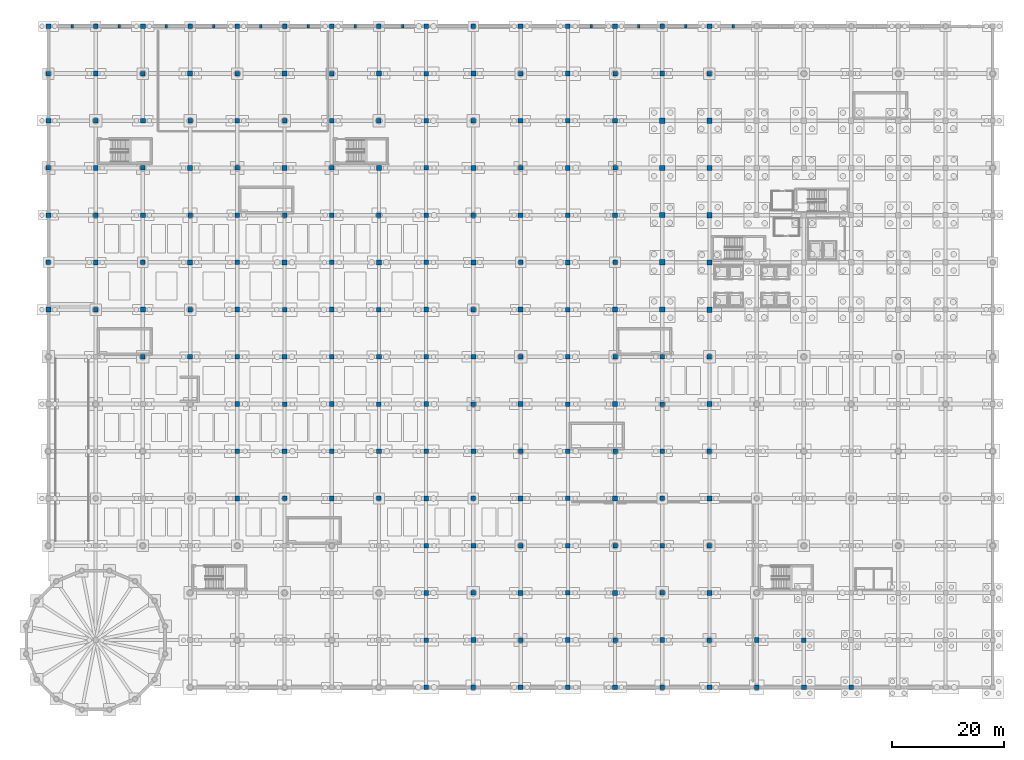
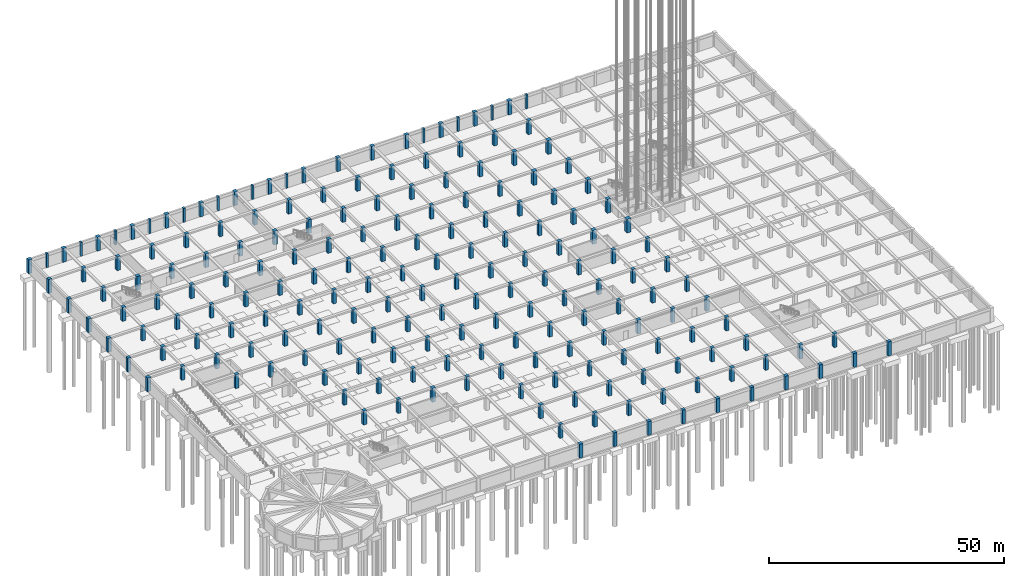
# One storey, part 9 of 47: 196 columns.
"""IFC4 building model written with IfcOpenShell, lengths in metres."""

import ifcopenshell
import ifcopenshell.guid

model = None  # the IFC model being written
_history = None  # IfcOwnerHistory: only IFC2X3 demands one
_inside = {}  # id of a spatial element -> (the spatial element, [elements in it])
_under = {}  # id of a project, library or spatial element -> (it, [spatial elements below it])
_declared = {}  # id of a project -> (the project, [libraries it declares])
_typed = {}  # id of a type object -> (the type object, [elements of that type])
_made_of = {}  # id of a material, layer set ... -> (it, [elements and type objects made of it])


def new_model(schema):
    """Start an empty IFC model of exactly this schema.

    Asked for "IFC4X3", IfcOpenShell would pick the latest addendum, in which some entities
    have other attributes; the version numbers below select the first issue.
    IFC2X3 requires an IfcOwnerHistory on every rooted entity: one is made here for all.
    """
    global model, _history
    if schema == "IFC4X3":
        model = ifcopenshell.file(schema_version=(4, 3, 0, 0))
    else:
        model = ifcopenshell.file(schema=schema)
    _inside.clear()
    _under.clear()
    _declared.clear()
    _typed.clear()
    _made_of.clear()
    _history = None
    if model.schema == "IFC2X3":
        org = make("IfcOrganization", Name="unknown")
        user = make(
            "IfcPersonAndOrganization",
            ThePerson=make("IfcPerson", FamilyName="unknown"),
            TheOrganization=org,
        )
        app = make(
            "IfcApplication",
            ApplicationDeveloper=org,
            Version="unknown",
            ApplicationFullName="unknown",
            ApplicationIdentifier="unknown",
        )
        _history = make(
            "IfcOwnerHistory",
            OwningUser=user,
            OwningApplication=app,
            ChangeAction="ADDED",
            CreationDate=0,
        )
    return model


def make(cls, **values):
    """One entity of the class cls with the attributes given. An attribute that is None is left unset."""
    return model.create_entity(
        cls, **{name: value for name, value in values.items() if value is not None}
    )


def rooted(cls, **values):
    """An entity with a GlobalId (a new one), such as an element, a storey or a relation."""
    return make(cls, GlobalId=ifcopenshell.guid.new(), OwnerHistory=_history, **values)


def si_unit(unit_type, name, prefix=None):
    """IfcSIUnit, for example si_unit("LENGTHUNIT", "METRE", prefix="MILLI")."""
    return make("IfcSIUnit", UnitType=unit_type, Prefix=prefix, Name=name)


def assignment(units):
    """IfcUnitAssignment: the units of a project."""
    return None if units is None else make("IfcUnitAssignment", Units=units)


def point(xyz):
    """IfcCartesianPoint."""
    return None if xyz is None else make("IfcCartesianPoint", Coordinates=xyz)


def direction(xyz):
    """IfcDirection."""
    return None if xyz is None else make("IfcDirection", DirectionRatios=xyz)


def frame(location, z_axis=None, x_axis=None):
    """IfcAxis2Placement3D, a coordinate frame: its origin and axes. An axis left out is left unset."""
    return make(
        "IfcAxis2Placement3D",
        Location=point(location),
        Axis=direction(z_axis),
        RefDirection=direction(x_axis),
    )


def frame_2d(location, x_axis=None):
    """IfcAxis2Placement2D, a coordinate frame in the plane: its origin and x axis."""
    return make(
        "IfcAxis2Placement2D", Location=point(location), RefDirection=direction(x_axis)
    )


def origin():
    """The frame at (0, 0, 0) with its axes left unset."""
    return frame((0.0, 0.0, 0.0))


def origin_2d():
    """The frame at (0, 0) in the plane with its x axis left unset."""
    return frame_2d((0.0, 0.0))


def place(relative_to, where):
    """IfcLocalPlacement: puts the frame where relative to a parent placement (None: the world)."""
    return make(
        "IfcLocalPlacement", PlacementRelTo=relative_to, RelativePlacement=where
    )


def context(
    kind, dimensions, precision=None, world=None, true_north=None, identifier=None
):
    """IfcGeometricRepresentationContext, for example the 3D "Model" context."""
    return make(
        "IfcGeometricRepresentationContext",
        ContextIdentifier=identifier,
        ContextType=kind,
        CoordinateSpaceDimension=dimensions,
        Precision=precision,
        WorldCoordinateSystem=world,
        TrueNorth=true_north,
    )


def subcontext(parent, identifier, kind, view, scale=None):
    """IfcGeometricRepresentationSubContext, for example "Body" below "Model"."""
    return make(
        "IfcGeometricRepresentationSubContext",
        ContextIdentifier=identifier,
        ContextType=kind,
        ParentContext=parent,
        TargetScale=scale,
        TargetView=view,
    )


def project(units=None, contexts=None):
    """IfcProject with its units and contexts."""
    return rooted(
        "IfcProject",
        Name="project",
        RepresentationContexts=contexts,
        UnitsInContext=assignment(units),
    )


def spatial(cls, under=None, at=None, **own):
    """A site, building, storey or space (cls), placed at a placement, below another one or the project."""
    s = rooted(cls, ObjectPlacement=at, **own)
    if under is not None:
        _under.setdefault(under.id(), (under, []))[1].append(s)
    return s


def profile(cls, at=None, kind="AREA", **sizes):
    """A parametric profile (cls). Its sizes go by their IFC names, for example OverallWidth=200.0."""
    return make(cls, ProfileType=kind, Position=at, **sizes)


def rectangle(**sizes):
    """IfcRectangleProfileDef."""
    return profile("IfcRectangleProfileDef", **sizes)


def extrude(swept, where, along, depth):
    """IfcExtrudedAreaSolid: the profile swept, set in the frame where, extruded along a direction by depth."""
    return make(
        "IfcExtrudedAreaSolid",
        SweptArea=swept,
        Position=where,
        ExtrudedDirection=direction(along),
        Depth=depth,
    )


def shape(context_of_items, identifier, shape_type, items):
    """IfcShapeRepresentation: the items that make up one representation, for example the "Body"."""
    return make(
        "IfcShapeRepresentation",
        ContextOfItems=context_of_items,
        RepresentationIdentifier=identifier,
        RepresentationType=shape_type,
        Items=items,
    )


def material(Name=None, Category=None):
    """IfcMaterial."""
    return make("IfcMaterial", Name=Name, Category=Category)


def material_profile(
    of_material, cross_section, Name=None, Category=None, Priority=None
):
    """IfcMaterialProfile: a cross section and its material."""
    return make(
        "IfcMaterialProfile",
        Name=Name,
        Material=of_material,
        Profile=cross_section,
        Priority=Priority,
        Category=Category,
    )


def profile_set(profiles, Name=None, composite=None):
    """IfcMaterialProfileSet."""
    return make(
        "IfcMaterialProfileSet",
        Name=Name,
        MaterialProfiles=profiles,
        CompositeProfile=composite,
    )


def made_of(thing, what):
    """Note that an element or type object is made of a material, layer set ...; save() writes the relation."""
    if what is not None:
        _made_of.setdefault(what.id(), (what, []))[1].append(thing)
    return thing


def type_object(cls, material=None, **own):
    """A type object (cls), such as IfcWallType, which elements share."""
    return made_of(rooted(cls, **own), material)


def element(
    cls,
    number,
    at=None,
    inside=None,
    cuts=None,
    type_object=None,
    material=None,
    context=None,
    identifier="Body",
    shape_type=None,
    held_by="IfcProductDefinitionShape",
    body=None,
    shapes=None,
    **own,
):
    """One element of the class cls, such as IfcWall. Its Tag is "e" and its number.

    at: its placement. inside: the storey or other place that contains it. cuts: it is an
    opening in that element (IfcRelVoidsElement). A single representation is given by context,
    identifier, shape_type and body (its items); several are given by shapes. held_by: the class
    of the entity that holds the representations. save() writes the other relations.
    """
    e = rooted(cls, Tag="e%d" % number, ObjectPlacement=at, **own)
    if body is not None:
        shapes = [shape(context, identifier, shape_type, body)]
    if shapes is not None:
        e.Representation = make(held_by, Representations=shapes)
    if inside is not None:
        _inside.setdefault(inside.id(), (inside, []))[1].append(e)
    if cuts is not None:
        rooted(
            "IfcRelVoidsElement", RelatingBuildingElement=cuts, RelatedOpeningElement=e
        )
    if type_object is not None:
        _typed.setdefault(type_object.id(), (type_object, []))[1].append(e)
    return made_of(e, material)


def aggregate(whole, parts):
    """IfcRelAggregates: a whole, such as a stair, and the parts it consists of."""
    return rooted("IfcRelAggregates", RelatingObject=whole, RelatedObjects=parts)


def save(model, path):
    """Write the relations noted so far, then the file.

    IfcRelAggregates (storeys below a building ...), IfcRelContainedInSpatialStructure (elements
    in a storey), IfcRelDefinesByType, IfcRelAssociatesMaterial and IfcRelDeclares: one each for
    every whole, place, type object, material and project.
    """
    for whole, parts in _under.values():
        aggregate(whole, parts)
    for where, things in _inside.values():
        rooted(
            "IfcRelContainedInSpatialStructure",
            RelatedElements=things,
            RelatingStructure=where,
        )
    for kind, things in _typed.values():
        rooted("IfcRelDefinesByType", RelatedObjects=things, RelatingType=kind)
    for what, things in _made_of.values():
        rooted("IfcRelAssociatesMaterial", RelatedObjects=things, RelatingMaterial=what)
    for by, libraries in _declared.values():
        rooted("IfcRelDeclares", RelatingContext=by, RelatedDefinitions=libraries)
    model.write(path)


model = new_model("IFC4")

# Units and contexts
model_context = context("Model", 3, precision=1e-05, world=origin(), true_north=direction((0.0, 1.0)))
body_context = subcontext(model_context, "Body", "Model", "MODEL_VIEW")
ifc_project = project(units=[si_unit("LENGTHUNIT", "METRE"), si_unit("AREAUNIT", "SQUARE_METRE"), si_unit("VOLUMEUNIT", "CUBIC_METRE"), si_unit("PLANEANGLEUNIT", "RADIAN"), si_unit("MASSUNIT", "GRAM", prefix="KILO")], contexts=[model_context])

# Site, building, storey
site_placement = place(None, origin())
site = spatial("IfcSite", under=ifc_project, at=site_placement, CompositionType="ELEMENT")
building_placement = place(site_placement, origin())
building = spatial("IfcBuilding", under=site, at=building_placement, Name="Almacenes y Pasaje Nevantli", CompositionType="ELEMENT")
storey_placement = place(building_placement, frame((0.0, 0.0, -8.10009765625)))
storey = spatial("IfcBuildingStorey", under=building, at=storey_placement, Name="B02", CompositionType="ELEMENT", Elevation=-8.10009765625)

# Columns
ifc_material_1 = material(Name="Concrete C45/55", Category="concrete")
ifc_material_profile_1 = material_profile(ifc_material_1, rectangle(XDim=0.800048828125, YDim=0.800048828125, at=origin_2d()), Name="RC-COL-800x800")
ifc_profile_set_1 = profile_set([ifc_material_profile_1], Name="Concrete C45/55")
column_type_1 = type_object("IfcColumnType", Name="COL-RC-800", PredefinedType="COLUMN", material=ifc_profile_set_1)
for number, where, z_axis, x_axis, name in (
    (1, (0.0, 75.60009765625, 0.0), (0.0, 0.0, 1.0), (1.0, 0.0, 0.0), "B02 Reinforced Concrete Column CL-04 #7"),
    (2, (0.0, 92.39990234375, 0.0), (0.0, 0.0, 1.0), (1.0, 0.0, 0.0), "B02 Reinforced Concrete Column CL-04 #9"),
    (3, (0.0, 109.199951171875, 0.0), (0.0, 0.0, 1.0), (1.0, 0.0, 0.0), "B02 Reinforced Concrete Column CL-04 #11"),
    (4, (8.39990234375, 67.199951171875, 0.0), (0.0, 0.0, 1.0), (1.0, 0.0, 0.0), "B02 Reinforced Concrete Column CL-04 #19"),
    (5, (8.39990234375, 84.0, 0.0), (0.0, 0.0, 1.0), (1.0, 0.0, 0.0), "B02 Reinforced Concrete Column CL-04 #21"),
    (6, (8.39990234375, 100.800048828125, 0.0), (0.0, 0.0, 1.0), (1.0, 0.0, 0.0), "B02 Reinforced Concrete Column CL-04 #23"),
    (7, (8.39990234375, 117.60009765625, 0.0), (0.0, 0.0, 1.0), (1.0, 0.0, 0.0), "B02 Reinforced Concrete Column CL-04 #25"),
    (8, (16.800048828125, 58.800048828125, 0.0), (0.0, 0.0, 1.0), (1.0, 0.0, 0.0), "B02 Reinforced Concrete Column CL-04 #30"),
    (9, (16.800048828125, 75.60009765625, 0.0), (0.0, 0.0, 1.0), (1.0, 0.0, 0.0), "B02 Reinforced Concrete Column CL-04 #32"),
    (10, (16.800048828125, 92.39990234375, 0.0), (0.0, 0.0, 1.0), (1.0, 0.0, 0.0), "B02 Reinforced Concrete Column CL-04 #34"),
    (11, (16.800048828125, 109.199951171875, 0.0), (0.0, 0.0, 1.0), (1.0, 0.0, 0.0), "B02 Reinforced Concrete Column CL-04 #36"),
    (12, (25.199951171875, 67.199951171875, 0.0), (0.0, 0.0, 1.0), (1.0, 0.0, 0.0), "B02 Reinforced Concrete Column CL-04 #46"),
    (13, (25.199951171875, 84.0, 0.0), (0.0, 0.0, 1.0), (1.0, 0.0, 0.0), "B02 Reinforced Concrete Column CL-04 #48"),
    (14, (25.199951171875, 100.800048828125, 0.0), (0.0, 0.0, 1.0), (1.0, 0.0, 0.0), "B02 Reinforced Concrete Column CL-04 #50"),
    (15, (25.199951171875, 117.60009765625, 0.0), (0.0, 0.0, 1.0), (1.0, 0.0, 0.0), "B02 Reinforced Concrete Column CL-04 #52"),
    (16, (33.60009765625, 42.0, 0.0), (0.0, 0.0, 1.0), (1.0, 0.0, 0.0), "B02 Reinforced Concrete Column CL-04 #58"),
    (17, (33.60009765625, 58.800048828125, 0.0), (0.0, 0.0, 1.0), (1.0, 0.0, 0.0), "B02 Reinforced Concrete Column CL-04 #60"),
    (18, (33.60009765625, 75.60009765625, 0.0), (0.0, 0.0, 1.0), (1.0, 0.0, 0.0), "B02 Reinforced Concrete Column CL-04 #62"),
    (19, (33.60009765625, 92.39990234375, 0.0), (0.0, 0.0, 1.0), (1.0, 0.0, 0.0), "B02 Reinforced Concrete Column CL-04 #64"),
    (20, (33.60009765625, 109.199951171875, 0.0), (0.0, 0.0, 1.0), (1.0, 0.0, 0.0), "B02 Reinforced Concrete Column CL-04 #66"),
    (21, (42.0, 33.60009765625, 0.0), (0.0, 0.0, 1.0), (1.0, 0.0, 0.0), "B02 Reinforced Concrete Column CL-04 #72"),
    (22, (42.0, 50.39990234375, 0.0), (0.0, 0.0, 1.0), (1.0, 0.0, 0.0), "B02 Reinforced Concrete Column CL-04 #74"),
    (23, (42.0, 67.199951171875, 0.0), (0.0, 0.0, 1.0), (1.0, 0.0, 0.0), "B02 Reinforced Concrete Column CL-04 #76"),
    (24, (42.0, 84.0, 0.0), (0.0, 0.0, 1.0), (1.0, 0.0, 0.0), "B02 Reinforced Concrete Column CL-04 #78"),
    (25, (42.0, 100.800048828125, 0.0), (0.0, 0.0, 1.0), (1.0, 0.0, 0.0), "B02 Reinforced Concrete Column CL-04 #80"),
    (26, (42.0, 117.60009765625, 0.0), (0.0, 0.0, 1.0), (1.0, 0.0, 0.0), "B02 Reinforced Concrete Column CL-04 #82"),
    (27, (50.39990234375, 42.0, 0.0), (0.0, 0.0, 1.0), (1.0, 0.0, 0.0), "B02 Reinforced Concrete Column CL-04 #88"),
    (28, (50.39990234375, 58.800048828125, 0.0), (0.0, 0.0, 1.0), (1.0, 0.0, 0.0), "B02 Reinforced Concrete Column CL-04 #90"),
    (29, (50.39990234375, 75.60009765625, 0.0), (0.0, 0.0, 1.0), (1.0, 0.0, 0.0), "B02 Reinforced Concrete Column CL-04 #92"),
    (30, (50.39990234375, 92.39990234375, 0.0), (0.0, 0.0, 1.0), (1.0, 0.0, 0.0), "B02 Reinforced Concrete Column CL-04 #94"),
    (31, (50.39990234375, 109.199951171875, 0.0), (0.0, 0.0, 1.0), (1.0, 0.0, 0.0), "B02 Reinforced Concrete Column CL-04 #96"),
    (32, (58.800048828125, 33.60009765625, 0.0), (0.0, 0.0, 1.0), (1.0, 0.0, 0.0), "B02 Reinforced Concrete Column CL-04 #102"),
    (33, (58.800048828125, 50.39990234375, 0.0), (0.0, 0.0, 1.0), (1.0, 0.0, 0.0), "B02 Reinforced Concrete Column CL-04 #104"),
    (34, (58.800048828125, 67.199951171875, 0.0), (0.0, 0.0, 1.0), (1.0, 0.0, 0.0), "B02 Reinforced Concrete Column CL-04 #106"),
    (35, (58.800048828125, 84.0, 0.0), (0.0, 0.0, 1.0), (1.0, 0.0, 0.0), "B02 Reinforced Concrete Column CL-04 #108"),
    (36, (58.800048828125, 100.800048828125, 0.0), (0.0, 0.0, 1.0), (1.0, 0.0, 0.0), "B02 Reinforced Concrete Column CL-04 #110"),
    (37, (58.800048828125, 117.60009765625, 0.0), (0.0, 0.0, 1.0), (1.0, 0.0, 0.0), "B02 Reinforced Concrete Column CL-04 #112"),
    (38, (67.199951171875, 8.39990234375, 0.0), (0.0, 0.0, 1.0), (1.0, 0.0, 0.0), "B02 Reinforced Concrete Column CL-04 #114"),
    (39, (67.199951171875, 25.199951171875, 0.0), (0.0, 0.0, 1.0), (1.0, 0.0, 0.0), "B02 Reinforced Concrete Column CL-04 #116"),
    (40, (67.199951171875, 42.0, 0.0), (0.0, 0.0, 1.0), (1.0, 0.0, 0.0), "B02 Reinforced Concrete Column CL-04 #118"),
    (41, (67.199951171875, 58.800048828125, 0.0), (0.0, 0.0, 1.0), (1.0, 0.0, 0.0), "B02 Reinforced Concrete Column CL-04 #120"),
    (42, (67.199951171875, 75.60009765625, 0.0), (0.0, 0.0, 1.0), (1.0, 0.0, 0.0), "B02 Reinforced Concrete Column CL-04 #122"),
    (43, (67.199951171875, 92.39990234375, 0.0), (0.0, 0.0, 1.0), (1.0, 0.0, 0.0), "B02 Reinforced Concrete Column CL-04 #124"),
    (44, (67.199951171875, 109.199951171875, 0.0), (0.0, 0.0, 1.0), (1.0, 0.0, 0.0), "B02 Reinforced Concrete Column CL-04 #126"),
    (45, (75.60009765625, 0.0, 0.0), (0.0, 0.0, 1.0), (1.0, 0.0, 0.0), "B02 Reinforced Concrete Column CL-04 #128"),
    (46, (75.60009765625, 16.800048828125, 0.0), (0.0, 0.0, 1.0), (1.0, 0.0, 0.0), "B02 Reinforced Concrete Column CL-04 #130"),
    (47, (75.60009765625, 33.60009765625, 0.0), (0.0, 0.0, 1.0), (1.0, 0.0, 0.0), "B02 Reinforced Concrete Column CL-04 #132"),
    (48, (75.60009765625, 50.39990234375, 0.0), (0.0, 0.0, 1.0), (1.0, 0.0, 0.0), "B02 Reinforced Concrete Column CL-04 #134"),
    (49, (75.60009765625, 67.199951171875, 0.0), (0.0, 0.0, 1.0), (1.0, 0.0, 0.0), "B02 Reinforced Concrete Column CL-04 #136"),
    (50, (75.60009765625, 84.0, 0.0), (0.0, 0.0, 1.0), (1.0, 0.0, 0.0), "B02 Reinforced Concrete Column CL-04 #138"),
    (51, (75.60009765625, 100.800048828125, 0.0), (0.0, 0.0, 1.0), (1.0, 0.0, 0.0), "B02 Reinforced Concrete Column CL-04 #140"),
    (52, (75.60009765625, 117.60009765625, 0.0), (0.0, 0.0, 1.0), (1.0, 0.0, 0.0), "B02 Reinforced Concrete Column CL-04 #142"),
    (53, (84.0, 8.39990234375, 0.0), (0.0, 0.0, 1.0), (1.0, 0.0, 0.0), "B02 Reinforced Concrete Column CL-04 #144"),
    (54, (84.0, 25.199951171875, 0.0), (0.0, 0.0, 1.0), (1.0, 0.0, 0.0), "B02 Reinforced Concrete Column CL-04 #146"),
    (55, (84.0, 42.0, 0.0), (0.0, 0.0, 1.0), (1.0, 0.0, 0.0), "B02 Reinforced Concrete Column CL-04 #148"),
    (56, (84.0, 58.800048828125, 0.0), (0.0, 0.0, 1.0), (1.0, 0.0, 0.0), "B02 Reinforced Concrete Column CL-04 #150"),
    (57, (84.0, 75.60009765625, 0.0), (0.0, 0.0, 1.0), (1.0, 0.0, 0.0), "B02 Reinforced Concrete Column CL-04 #152"),
    (58, (84.0, 92.39990234375, 0.0), (0.0, 0.0, 1.0), (1.0, 0.0, 0.0), "B02 Reinforced Concrete Column CL-04 #154"),
    (59, (84.0, 109.199951171875, 0.0), (0.0, 0.0, 1.0), (1.0, 0.0, 0.0), "B02 Reinforced Concrete Column CL-04 #156"),
    (60, (92.39990234375, 0.0, 0.0), (0.0, 0.0, 1.0), (1.0, 0.0, 0.0), "B02 Reinforced Concrete Column CL-04 #158"),
    (61, (92.39990234375, 16.800048828125, 0.0), (0.0, 0.0, 1.0), (1.0, 0.0, 0.0), "B02 Reinforced Concrete Column CL-04 #160"),
    (62, (92.39990234375, 33.60009765625, 0.0), (0.0, 0.0, 1.0), (1.0, 0.0, 0.0), "B02 Reinforced Concrete Column CL-04 #162"),
    (63, (92.39990234375, 50.39990234375, 0.0), (0.0, 0.0, 1.0), (1.0, 0.0, 0.0), "B02 Reinforced Concrete Column CL-04 #164"),
    (64, (92.39990234375, 67.199951171875, 0.0), (0.0, 0.0, 1.0), (1.0, 0.0, 0.0), "B02 Reinforced Concrete Column CL-04 #166"),
    (65, (92.39990234375, 84.0, 0.0), (0.0, 0.0, 1.0), (1.0, 0.0, 0.0), "B02 Reinforced Concrete Column CL-04 #168"),
    (66, (92.39990234375, 100.800048828125, 0.0), (0.0, 0.0, 1.0), (1.0, 0.0, 0.0), "B02 Reinforced Concrete Column CL-04 #170"),
    (67, (92.39990234375, 117.60009765625, 0.0), (0.0, 0.0, 1.0), (1.0, 0.0, 0.0), "B02 Reinforced Concrete Column CL-04 #172"),
    (68, (100.800048828125, 8.39990234375, 0.0), (0.0, 0.0, 1.0), (1.0, 0.0, 0.0), "B02 Reinforced Concrete Column CL-04 #174"),
    (69, (100.800048828125, 25.199951171875, 0.0), (0.0, 0.0, 1.0), (1.0, 0.0, 0.0), "B02 Reinforced Concrete Column CL-04 #176"),
    (70, (100.800048828125, 42.0, 0.0), (0.0, 0.0, 1.0), (1.0, 0.0, 0.0), "B02 Reinforced Concrete Column CL-04 #178"),
    (71, (100.800048828125, 58.800048828125, 0.0), (0.0, 0.0, 1.0), (1.0, 0.0, 0.0), "B02 Reinforced Concrete Column CL-04 #180"),
    (72, (100.800048828125, 75.60009765625, 0.0), (0.0, 0.0, 1.0), (1.0, 0.0, 0.0), "B02 Reinforced Concrete Column CL-04 #182"),
    (73, (100.800048828125, 92.39990234375, 0.0), (0.0, 0.0, 1.0), (1.0, 0.0, 0.0), "B02 Reinforced Concrete Column CL-04 #184"),
    (74, (100.800048828125, 109.199951171875, 0.0), (0.0, 0.0, 1.0), (1.0, 0.0, 0.0), "B02 Reinforced Concrete Column CL-04 #186"),
    (75, (109.199951171875, 0.0, 0.0), (0.0, 0.0, 1.0), (1.0, 0.0, 0.0), "B02 Reinforced Concrete Column CL-04 #188"),
    (76, (109.199951171875, 16.800048828125, 0.0), (0.0, 0.0, 1.0), (1.0, 0.0, 0.0), "B02 Reinforced Concrete Column CL-04 #190"),
    (77, (109.199951171875, 33.60009765625, 0.0), (0.0, 0.0, 1.0), (1.0, 0.0, 0.0), "B02 Reinforced Concrete Column CL-04 #192"),
    (78, (109.199951171875, 50.39990234375, 0.0), (0.0, 0.0, 1.0), (1.0, 0.0, 0.0), "B02 Reinforced Concrete Column CL-04 #194"),
    (79, (109.199951171875, 117.60009765625, 0.0), (0.0, 0.0, 1.0), (1.0, 0.0, 0.0), "B02 Reinforced Concrete Column CL-04 #202"),
    (80, (117.60009765625, 8.39990234375, 0.0), (0.0, 0.0, 1.0), (1.0, 0.0, 0.0), "B02 Reinforced Concrete Column CL-04 #204"),
    (81, (117.60009765625, 25.199951171875, 0.0), (0.0, 0.0, 1.0), (1.0, 0.0, 0.0), "B02 Reinforced Concrete Column CL-04 #206"),
    (82, (117.60009765625, 42.0, 0.0), (0.0, 0.0, 1.0), (1.0, 0.0, 0.0), "B02 Reinforced Concrete Column CL-04 #208"),
    (83, (117.60009765625, 58.800048828125, 0.0), (0.0, 0.0, 1.0), (1.0, 0.0, 0.0), "B02 Reinforced Concrete Column CL-04 #210"),
    (84, (117.60009765625, 109.199951171875, 0.0), (0.0, 0.0, 1.0), (1.0, 0.0, 0.0), "B02 Reinforced Concrete Column CL-04 #216"),
    (85, (126.0, 0.0, 0.0), (0.0, 0.0, 1.0), (1.0, 0.0, 0.0), "B02 Reinforced Concrete Column CL-04 #218"),
    (86, (134.39990234375, 8.39990234375, 0.0), (0.0, 0.0, 1.0), (1.0, 0.0, 0.0), "B02 Reinforced Concrete Column CL-04 #234"),
    (87, (142.800048828125, 0.0, 0.0), (0.0, 0.0, 1.0), (1.0, 0.0, 0.0), "B02 Reinforced Concrete Column CL-04 #248"),
):
    element("IfcColumn", number, at=place(storey_placement, frame(where, z_axis=z_axis, x_axis=x_axis)), inside=storey, type_object=column_type_1, Name=name, PredefinedType="COLUMN", context=body_context, shape_type="SweptSolid", body=[
        extrude(rectangle(XDim=0.800048828125, YDim=0.800048828125, at=origin_2d()), origin(), (0.0, 0.0, 1.0), 3.60009765625),
    ])
ifc_material_2 = material(Name="Concrete C45/55", Category="concrete")
ifc_material_profile_2 = material_profile(ifc_material_2, rectangle(XDim=0.85009765625, YDim=0.85009765625, at=origin_2d()), Name="RC-COL-850x850")
ifc_profile_set_2 = profile_set([ifc_material_profile_2], Name="Concrete C45/55")
column_type_2 = type_object("IfcColumnType", Name="COL-RC-850", PredefinedType="COLUMN", material=ifc_profile_set_2)
for number, where, z_axis, x_axis, name in (
    (88, (0.0, 67.199951171875, 0.0), (0.0, 0.0, 1.0), (1.0, 0.0, 0.0), "B02 Reinforced Concrete Column CL-03 #6"),
    (89, (0.0, 84.0, 0.0), (0.0, 0.0, 1.0), (1.0, 0.0, 0.0), "B02 Reinforced Concrete Column CL-03 #8"),
    (90, (0.0, 100.800048828125, 0.0), (0.0, 0.0, 1.0), (1.0, 0.0, 0.0), "B02 Reinforced Concrete Column CL-03 #10"),
    (91, (0.0, 117.60009765625, 0.0), (0.0, 0.0, 1.0), (1.0, 0.0, 0.0), "B02 Reinforced Concrete Column CL-03 #12"),
    (92, (8.39990234375, 75.60009765625, 0.0), (0.0, 0.0, 1.0), (1.0, 0.0, 0.0), "B02 Reinforced Concrete Column CL-03 #20"),
    (93, (8.39990234375, 92.39990234375, 0.0), (0.0, 0.0, 1.0), (1.0, 0.0, 0.0), "B02 Reinforced Concrete Column CL-03 #22"),
    (94, (8.39990234375, 109.199951171875, 0.0), (0.0, 0.0, 1.0), (1.0, 0.0, 0.0), "B02 Reinforced Concrete Column CL-03 #24"),
    (95, (16.800048828125, 67.199951171875, 0.0), (0.0, 0.0, 1.0), (1.0, 0.0, 0.0), "B02 Reinforced Concrete Column CL-03 #31"),
    (96, (16.800048828125, 84.0, 0.0), (0.0, 0.0, 1.0), (1.0, 0.0, 0.0), "B02 Reinforced Concrete Column CL-03 #33"),
    (97, (16.800048828125, 100.800048828125, 0.0), (0.0, 0.0, 1.0), (1.0, 0.0, 0.0), "B02 Reinforced Concrete Column CL-03 #35"),
    (98, (16.800048828125, 117.60009765625, 0.0), (0.0, 0.0, 1.0), (1.0, 0.0, 0.0), "B02 Reinforced Concrete Column CL-03 #37"),
    (99, (25.199951171875, 58.800048828125, 0.0), (0.0, 0.0, 1.0), (1.0, 0.0, 0.0), "B02 Reinforced Concrete Column CL-03 #45"),
    (100, (25.199951171875, 75.60009765625, 0.0), (0.0, 0.0, 1.0), (1.0, 0.0, 0.0), "B02 Reinforced Concrete Column CL-03 #47"),
    (101, (25.199951171875, 92.39990234375, 0.0), (0.0, 0.0, 1.0), (1.0, 0.0, 0.0), "B02 Reinforced Concrete Column CL-03 #49"),
    (102, (25.199951171875, 109.199951171875, 0.0), (0.0, 0.0, 1.0), (1.0, 0.0, 0.0), "B02 Reinforced Concrete Column CL-03 #51"),
    (103, (33.60009765625, 33.60009765625, 0.0), (0.0, 0.0, 1.0), (1.0, 0.0, 0.0), "B02 Reinforced Concrete Column CL-03 #57"),
    (104, (33.60009765625, 50.39990234375, 0.0), (0.0, 0.0, 1.0), (1.0, 0.0, 0.0), "B02 Reinforced Concrete Column CL-03 #59"),
    (105, (33.60009765625, 67.199951171875, 0.0), (0.0, 0.0, 1.0), (1.0, 0.0, 0.0), "B02 Reinforced Concrete Column CL-03 #61"),
    (106, (33.60009765625, 84.0, 0.0), (0.0, 0.0, 1.0), (1.0, 0.0, 0.0), "B02 Reinforced Concrete Column CL-03 #63"),
    (107, (33.60009765625, 100.800048828125, 0.0), (0.0, 0.0, 1.0), (1.0, 0.0, 0.0), "B02 Reinforced Concrete Column CL-03 #65"),
    (108, (33.60009765625, 117.60009765625, 0.0), (0.0, 0.0, 1.0), (1.0, 0.0, 0.0), "B02 Reinforced Concrete Column CL-03 #67"),
    (109, (42.0, 42.0, 0.0), (0.0, 0.0, 1.0), (1.0, 0.0, 0.0), "B02 Reinforced Concrete Column CL-03 #73"),
    (110, (42.0, 58.800048828125, 0.0), (0.0, 0.0, 1.0), (1.0, 0.0, 0.0), "B02 Reinforced Concrete Column CL-03 #75"),
    (111, (42.0, 75.60009765625, 0.0), (0.0, 0.0, 1.0), (1.0, 0.0, 0.0), "B02 Reinforced Concrete Column CL-03 #77"),
    (112, (42.0, 92.39990234375, 0.0), (0.0, 0.0, 1.0), (1.0, 0.0, 0.0), "B02 Reinforced Concrete Column CL-03 #79"),
    (113, (42.0, 109.199951171875, 0.0), (0.0, 0.0, 1.0), (1.0, 0.0, 0.0), "B02 Reinforced Concrete Column CL-03 #81"),
    (114, (50.39990234375, 33.60009765625, 0.0), (0.0, 0.0, 1.0), (1.0, 0.0, 0.0), "B02 Reinforced Concrete Column CL-03 #87"),
    (115, (50.39990234375, 50.39990234375, 0.0), (0.0, 0.0, 1.0), (1.0, 0.0, 0.0), "B02 Reinforced Concrete Column CL-03 #89"),
    (116, (50.39990234375, 67.199951171875, 0.0), (0.0, 0.0, 1.0), (1.0, 0.0, 0.0), "B02 Reinforced Concrete Column CL-03 #91"),
    (117, (50.39990234375, 84.0, 0.0), (0.0, 0.0, 1.0), (1.0, 0.0, 0.0), "B02 Reinforced Concrete Column CL-03 #93"),
    (118, (50.39990234375, 100.800048828125, 0.0), (0.0, 0.0, 1.0), (1.0, 0.0, 0.0), "B02 Reinforced Concrete Column CL-03 #95"),
    (119, (50.39990234375, 117.60009765625, 0.0), (0.0, 0.0, 1.0), (1.0, 0.0, 0.0), "B02 Reinforced Concrete Column CL-03 #97"),
    (120, (58.800048828125, 42.0, 0.0), (0.0, 0.0, 1.0), (1.0, 0.0, 0.0), "B02 Reinforced Concrete Column CL-03 #103"),
    (121, (58.800048828125, 58.800048828125, 0.0), (0.0, 0.0, 1.0), (1.0, 0.0, 0.0), "B02 Reinforced Concrete Column CL-03 #105"),
    (122, (58.800048828125, 75.60009765625, 0.0), (0.0, 0.0, 1.0), (1.0, 0.0, 0.0), "B02 Reinforced Concrete Column CL-03 #107"),
    (123, (58.800048828125, 92.39990234375, 0.0), (0.0, 0.0, 1.0), (1.0, 0.0, 0.0), "B02 Reinforced Concrete Column CL-03 #109"),
    (124, (58.800048828125, 109.199951171875, 0.0), (0.0, 0.0, 1.0), (1.0, 0.0, 0.0), "B02 Reinforced Concrete Column CL-03 #111"),
    (125, (67.199951171875, 0.0, 0.0), (0.0, 0.0, 1.0), (1.0, 0.0, 0.0), "B02 Reinforced Concrete Column CL-03 #113"),
    (126, (67.199951171875, 16.800048828125, 0.0), (0.0, 0.0, 1.0), (1.0, 0.0, 0.0), "B02 Reinforced Concrete Column CL-03 #115"),
    (127, (67.199951171875, 33.60009765625, 0.0), (0.0, 0.0, 1.0), (1.0, 0.0, 0.0), "B02 Reinforced Concrete Column CL-03 #117"),
    (128, (67.199951171875, 50.39990234375, 0.0), (0.0, 0.0, 1.0), (1.0, 0.0, 0.0), "B02 Reinforced Concrete Column CL-03 #119"),
    (129, (67.199951171875, 67.199951171875, 0.0), (0.0, 0.0, 1.0), (1.0, 0.0, 0.0), "B02 Reinforced Concrete Column CL-03 #121"),
    (130, (67.199951171875, 84.0, 0.0), (0.0, 0.0, 1.0), (1.0, 0.0, 0.0), "B02 Reinforced Concrete Column CL-03 #123"),
    (131, (67.199951171875, 100.800048828125, 0.0), (0.0, 0.0, 1.0), (1.0, 0.0, 0.0), "B02 Reinforced Concrete Column CL-03 #125"),
    (132, (67.199951171875, 117.60009765625, 0.0), (0.0, 0.0, 1.0), (1.0, 0.0, 0.0), "B02 Reinforced Concrete Column CL-03 #127"),
    (133, (75.60009765625, 8.39990234375, 0.0), (0.0, 0.0, 1.0), (1.0, 0.0, 0.0), "B02 Reinforced Concrete Column CL-03 #129"),
    (134, (75.60009765625, 25.199951171875, 0.0), (0.0, 0.0, 1.0), (1.0, 0.0, 0.0), "B02 Reinforced Concrete Column CL-03 #131"),
    (135, (75.60009765625, 42.0, 0.0), (0.0, 0.0, 1.0), (1.0, 0.0, 0.0), "B02 Reinforced Concrete Column CL-03 #133"),
    (136, (75.60009765625, 58.800048828125, 0.0), (0.0, 0.0, 1.0), (1.0, 0.0, 0.0), "B02 Reinforced Concrete Column CL-03 #135"),
    (137, (75.60009765625, 75.60009765625, 0.0), (0.0, 0.0, 1.0), (1.0, 0.0, 0.0), "B02 Reinforced Concrete Column CL-03 #137"),
    (138, (75.60009765625, 92.39990234375, 0.0), (0.0, 0.0, 1.0), (1.0, 0.0, 0.0), "B02 Reinforced Concrete Column CL-03 #139"),
    (139, (75.60009765625, 109.199951171875, 0.0), (0.0, 0.0, 1.0), (1.0, 0.0, 0.0), "B02 Reinforced Concrete Column CL-03 #141"),
    (140, (84.0, 0.0, 0.0), (0.0, 0.0, 1.0), (1.0, 0.0, 0.0), "B02 Reinforced Concrete Column CL-03 #143"),
    (141, (84.0, 16.800048828125, 0.0), (0.0, 0.0, 1.0), (1.0, 0.0, 0.0), "B02 Reinforced Concrete Column CL-03 #145"),
    (142, (84.0, 33.60009765625, 0.0), (0.0, 0.0, 1.0), (1.0, 0.0, 0.0), "B02 Reinforced Concrete Column CL-03 #147"),
    (143, (84.0, 50.39990234375, 0.0), (0.0, 0.0, 1.0), (1.0, 0.0, 0.0), "B02 Reinforced Concrete Column CL-03 #149"),
    (144, (84.0, 67.199951171875, 0.0), (0.0, 0.0, 1.0), (1.0, 0.0, 0.0), "B02 Reinforced Concrete Column CL-03 #151"),
    (145, (84.0, 84.0, 0.0), (0.0, 0.0, 1.0), (1.0, 0.0, 0.0), "B02 Reinforced Concrete Column CL-03 #153"),
    (146, (84.0, 100.800048828125, 0.0), (0.0, 0.0, 1.0), (1.0, 0.0, 0.0), "B02 Reinforced Concrete Column CL-03 #155"),
    (147, (84.0, 117.60009765625, 0.0), (0.0, 0.0, 1.0), (1.0, 0.0, 0.0), "B02 Reinforced Concrete Column CL-03 #157"),
    (148, (92.39990234375, 8.39990234375, 0.0), (0.0, 0.0, 1.0), (1.0, 0.0, 0.0), "B02 Reinforced Concrete Column CL-03 #159"),
    (149, (92.39990234375, 25.199951171875, 0.0), (0.0, 0.0, 1.0), (1.0, 0.0, 0.0), "B02 Reinforced Concrete Column CL-03 #161"),
    (150, (92.39990234375, 42.0, 0.0), (0.0, 0.0, 1.0), (1.0, 0.0, 0.0), "B02 Reinforced Concrete Column CL-03 #163"),
    (151, (92.39990234375, 58.800048828125, 0.0), (0.0, 0.0, 1.0), (1.0, 0.0, 0.0), "B02 Reinforced Concrete Column CL-03 #165"),
    (152, (92.39990234375, 75.60009765625, 0.0), (0.0, 0.0, 1.0), (1.0, 0.0, 0.0), "B02 Reinforced Concrete Column CL-03 #167"),
    (153, (92.39990234375, 92.39990234375, 0.0), (0.0, 0.0, 1.0), (1.0, 0.0, 0.0), "B02 Reinforced Concrete Column CL-03 #169"),
    (154, (92.39990234375, 109.199951171875, 0.0), (0.0, 0.0, 1.0), (1.0, 0.0, 0.0), "B02 Reinforced Concrete Column CL-03 #171"),
    (155, (100.800048828125, 0.0, 0.0), (0.0, 0.0, 1.0), (1.0, 0.0, 0.0), "B02 Reinforced Concrete Column CL-03 #173"),
    (156, (100.800048828125, 16.800048828125, 0.0), (0.0, 0.0, 1.0), (1.0, 0.0, 0.0), "B02 Reinforced Concrete Column CL-03 #175"),
    (157, (100.800048828125, 33.60009765625, 0.0), (0.0, 0.0, 1.0), (1.0, 0.0, 0.0), "B02 Reinforced Concrete Column CL-03 #177"),
    (158, (100.800048828125, 50.39990234375, 0.0), (0.0, 0.0, 1.0), (1.0, 0.0, 0.0), "B02 Reinforced Concrete Column CL-03 #179"),
    (159, (100.800048828125, 67.199951171875, 0.0), (0.0, 0.0, 1.0), (1.0, 0.0, 0.0), "B02 Reinforced Concrete Column CL-03 #181"),
    (160, (100.800048828125, 84.0, 0.0), (0.0, 0.0, 1.0), (1.0, 0.0, 0.0), "B02 Reinforced Concrete Column CL-03 #183"),
    (161, (100.800048828125, 100.800048828125, 0.0), (0.0, 0.0, 1.0), (1.0, 0.0, 0.0), "B02 Reinforced Concrete Column CL-03 #185"),
    (162, (100.800048828125, 117.60009765625, 0.0), (0.0, 0.0, 1.0), (1.0, 0.0, 0.0), "B02 Reinforced Concrete Column CL-03 #187"),
    (163, (109.199951171875, 8.39990234375, 0.0), (0.0, 0.0, 1.0), (1.0, 0.0, 0.0), "B02 Reinforced Concrete Column CL-03 #189"),
    (164, (109.199951171875, 25.199951171875, 0.0), (0.0, 0.0, 1.0), (1.0, 0.0, 0.0), "B02 Reinforced Concrete Column CL-03 #191"),
    (165, (109.199951171875, 42.0, 0.0), (0.0, 0.0, 1.0), (1.0, 0.0, 0.0), "B02 Reinforced Concrete Column CL-03 #193"),
    (166, (109.199951171875, 58.800048828125, 0.0), (0.0, 0.0, 1.0), (1.0, 0.0, 0.0), "B02 Reinforced Concrete Column CL-03 #195"),
    (167, (109.199951171875, 109.199951171875, 0.0), (0.0, 0.0, 1.0), (1.0, 0.0, 0.0), "B02 Reinforced Concrete Column CL-03 #201"),
    (168, (117.60009765625, 0.0, 0.0), (0.0, 0.0, 1.0), (1.0, 0.0, 0.0), "B02 Reinforced Concrete Column CL-03 #203"),
    (169, (117.60009765625, 16.800048828125, 0.0), (0.0, 0.0, 1.0), (1.0, 0.0, 0.0), "B02 Reinforced Concrete Column CL-03 #205"),
    (170, (117.60009765625, 33.60009765625, 0.0), (0.0, 0.0, 1.0), (1.0, 0.0, 0.0), "B02 Reinforced Concrete Column CL-03 #207"),
    (171, (117.60009765625, 50.39990234375, 0.0), (0.0, 0.0, 1.0), (1.0, 0.0, 0.0), "B02 Reinforced Concrete Column CL-03 #209"),
    (172, (117.60009765625, 117.60009765625, 0.0), (0.0, 0.0, 1.0), (1.0, 0.0, 0.0), "B02 Reinforced Concrete Column CL-03 #217"),
    (173, (126.0, 8.39990234375, 0.0), (0.0, 0.0, 1.0), (1.0, 0.0, 0.0), "B02 Reinforced Concrete Column CL-03 #219"),
    (174, (134.39990234375, 0.0, 0.0), (0.0, 0.0, 1.0), (1.0, 0.0, 0.0), "B02 Reinforced Concrete Column CL-03 #233"),
):
    element("IfcColumn", number, at=place(storey_placement, frame(where, z_axis=z_axis, x_axis=x_axis)), inside=storey, type_object=column_type_2, Name=name, PredefinedType="COLUMN", context=body_context, shape_type="SweptSolid", body=[
        extrude(rectangle(XDim=0.85009765625, YDim=0.85009765625, at=origin_2d()), origin(), (0.0, 0.0, 1.0), 3.60009765625),
    ])
ifc_material_3 = material(Name="Concrete C45/55", Category="concrete")
ifc_material_profile_3 = material_profile(ifc_material_3, rectangle(XDim=0.89990234375, YDim=0.89990234375, at=origin_2d()), Name="RC-COL-900x900")
ifc_profile_set_3 = profile_set([ifc_material_profile_3], Name="Concrete C45/55")
column_type_3 = type_object("IfcColumnType", Name="COL-RC-900", PredefinedType="COLUMN", material=ifc_profile_set_3)
for number, where, z_axis, x_axis, name in (
    (175, (109.199951171875, 67.199951171875, 0.0), (0.0, 0.0, 1.0), (1.0, 0.0, 0.0), "B02 Reinforced Concrete Column CL-02 #196"),
    (176, (109.199951171875, 84.0, 0.0), (0.0, 0.0, 1.0), (1.0, 0.0, 0.0), "B02 Reinforced Concrete Column CL-02 #198"),
    (177, (109.199951171875, 100.800048828125, 0.0), (0.0, 0.0, 1.0), (1.0, 0.0, 0.0), "B02 Reinforced Concrete Column CL-02 #200"),
    (178, (117.60009765625, 75.60009765625, 0.0), (0.0, 0.0, 1.0), (1.0, 0.0, 0.0), "B02 Reinforced Concrete Column CL-02 #212"),
    (179, (117.60009765625, 92.39990234375, 0.0), (0.0, 0.0, 1.0), (1.0, 0.0, 0.0), "B02 Reinforced Concrete Column CL-02 #214"),
):
    element("IfcColumn", number, at=place(storey_placement, frame(where, z_axis=z_axis, x_axis=x_axis)), inside=storey, type_object=column_type_3, Name=name, PredefinedType="COLUMN", context=body_context, shape_type="SweptSolid", body=[
        extrude(rectangle(XDim=0.89990234375, YDim=0.89990234375, at=origin_2d()), origin(), (0.0, 0.0, 1.0), 3.60009765625),
    ])
ifc_material_4 = material(Name="Concrete C45/55", Category="concrete")
ifc_material_profile_4 = material_profile(ifc_material_4, rectangle(XDim=0.949951171875, YDim=0.949951171875, at=origin_2d()), Name="RC-COL-950x950")
ifc_profile_set_4 = profile_set([ifc_material_profile_4], Name="Concrete C45/55")
column_type_4 = type_object("IfcColumnType", Name="COL-RC-950", PredefinedType="COLUMN", material=ifc_profile_set_4)
for number, where, z_axis, x_axis, name in (
    (180, (109.199951171875, 75.60009765625, 0.0), (0.0, 0.0, 1.0), (1.0, 0.0, 0.0), "B02 Reinforced Concrete Column CL-01 #197"),
    (181, (109.199951171875, 92.39990234375, 0.0), (0.0, 0.0, 1.0), (1.0, 0.0, 0.0), "B02 Reinforced Concrete Column CL-01 #199"),
    (182, (117.60009765625, 67.199951171875, 0.0), (0.0, 0.0, 1.0), (1.0, 0.0, 0.0), "B02 Reinforced Concrete Column CL-01 #211"),
    (183, (117.60009765625, 84.0, 0.0), (0.0, 0.0, 1.0), (1.0, 0.0, 0.0), "B02 Reinforced Concrete Column CL-01 #213"),
    (184, (117.60009765625, 100.800048828125, 0.0), (0.0, 0.0, 1.0), (1.0, 0.0, 0.0), "B02 Reinforced Concrete Column CL-01 #215"),
):
    element("IfcColumn", number, at=place(storey_placement, frame(where, z_axis=z_axis, x_axis=x_axis)), inside=storey, type_object=column_type_4, Name=name, PredefinedType="COLUMN", context=body_context, shape_type="SweptSolid", body=[
        extrude(rectangle(XDim=0.949951171875, YDim=0.949951171875, at=origin_2d()), origin(), (0.0, 0.0, 1.0), 3.60009765625),
    ])
ifc_material_5 = material(Name="Concrete C45/55", Category="concrete")
ifc_material_profile_5 = material_profile(ifc_material_5, rectangle(XDim=0.449951171875, YDim=0.64990234375, at=origin_2d()), Name="RC-PIL-450x650")
ifc_profile_set_5 = profile_set([ifc_material_profile_5], Name="Concrete C45/55")
column_type_5 = type_object("IfcColumnType", Name="PIL-RC-450x650", PredefinedType="PILASTER", material=ifc_profile_set_5)
for number, where, z_axis, x_axis, name in (
    (185, (4.199951171875, 117.60009765625, 0.0), (0.0, 0.0, 1.0), (1.0, 0.0, 0.0), "B02 North Boulevard Portales Pilaster #1"),
    (186, (12.60009765625, 117.60009765625, 0.0), (0.0, 0.0, 1.0), (1.0, 0.0, 0.0), "B02 North Boulevard Portales Pilaster #2"),
    (187, (21.0, 117.60009765625, 0.0), (0.0, 0.0, 1.0), (1.0, 0.0, 0.0), "B02 North Boulevard Portales Pilaster #3"),
    (188, (29.39990234375, 117.60009765625, 0.0), (0.0, 0.0, 1.0), (1.0, 0.0, 0.0), "B02 North Boulevard Portales Pilaster #4"),
    (189, (37.800048828125, 117.60009765625, 0.0), (0.0, 0.0, 1.0), (1.0, 0.0, 0.0), "B02 North Boulevard Portales Pilaster #5"),
    (190, (46.199951171875, 117.60009765625, 0.0), (0.0, 0.0, 1.0), (1.0, 0.0, 0.0), "B02 North Boulevard Portales Pilaster #6"),
    (191, (54.60009765625, 117.60009765625, 0.0), (0.0, 0.0, 1.0), (1.0, 0.0, 0.0), "B02 North Boulevard Portales Pilaster #7"),
    (192, (63.0, 117.60009765625, 0.0), (0.0, 0.0, 1.0), (1.0, 0.0, 0.0), "B02 North Boulevard Portales Pilaster #8"),
    (193, (96.60009765625, 117.60009765625, 0.0), (0.0, 0.0, 1.0), (1.0, 0.0, 0.0), "B02 North Boulevard Portales Pilaster #12"),
    (194, (105.0, 117.60009765625, 0.0), (0.0, 0.0, 1.0), (1.0, 0.0, 0.0), "B02 North Boulevard Portales Pilaster #13"),
    (195, (113.39990234375, 117.60009765625, 0.0), (0.0, 0.0, 1.0), (1.0, 0.0, 0.0), "B02 North Boulevard Portales Pilaster #14"),
    (196, (121.800048828125, 117.60009765625, 0.0), (0.0, 0.0, 1.0), (1.0, 0.0, 0.0), "B02 North Boulevard Portales Pilaster #15"),
):
    element("IfcColumn", number, at=place(storey_placement, frame(where, z_axis=z_axis, x_axis=x_axis)), inside=storey, type_object=column_type_5, Name=name, PredefinedType="PILASTER", context=body_context, shape_type="SweptSolid", body=[
        extrude(rectangle(XDim=0.449951171875, YDim=0.64990234375, at=origin_2d()), origin(), (0.0, 0.0, 1.0), 3.60009765625),
    ])

save(model, "model.ifc")
